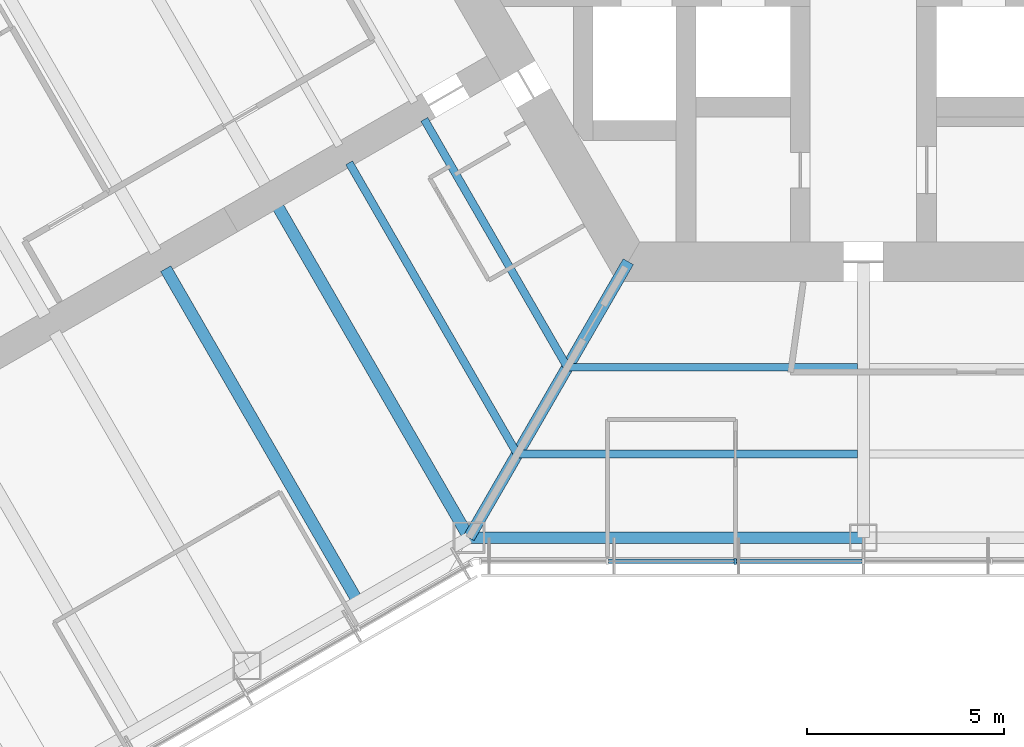
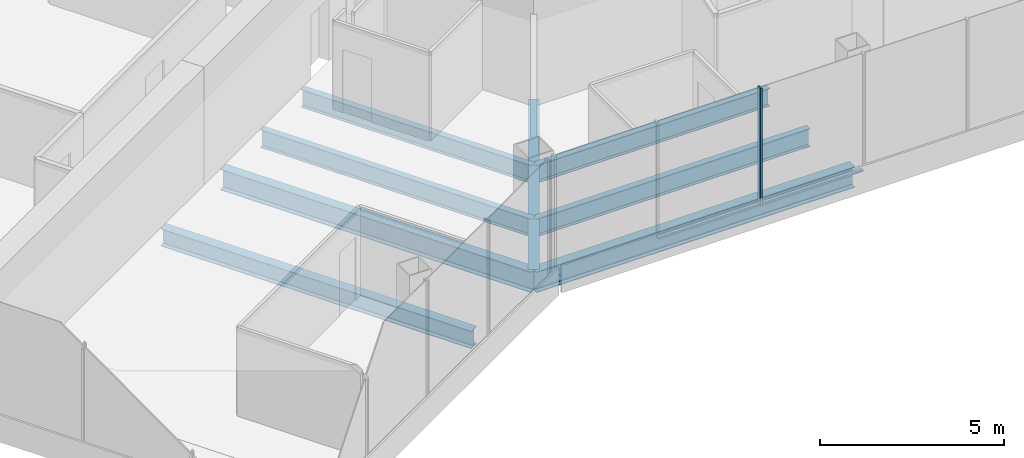
# One storey, part 3 of 18: 8 beams, 3 members, 1 element without a shape of its own.
"""IFC4 building model written with IfcOpenShell, lengths in metres."""

import ifcopenshell
import ifcopenshell.guid

model = None  # the IFC model being written
_history = None  # IfcOwnerHistory: only IFC2X3 demands one
_inside = {}  # id of a spatial element -> (the spatial element, [elements in it])
_under = {}  # id of a project, library or spatial element -> (it, [spatial elements below it])
_declared = {}  # id of a project -> (the project, [libraries it declares])
_typed = {}  # id of a type object -> (the type object, [elements of that type])
_made_of = {}  # id of a material, layer set ... -> (it, [elements and type objects made of it])


def new_model(schema):
    """Start an empty IFC model of exactly this schema.

    Asked for "IFC4X3", IfcOpenShell would pick the latest addendum, in which some entities
    have other attributes; the version numbers below select the first issue.
    IFC2X3 requires an IfcOwnerHistory on every rooted entity: one is made here for all.
    """
    global model, _history
    if schema == "IFC4X3":
        model = ifcopenshell.file(schema_version=(4, 3, 0, 0))
    else:
        model = ifcopenshell.file(schema=schema)
    _inside.clear()
    _under.clear()
    _declared.clear()
    _typed.clear()
    _made_of.clear()
    _history = None
    if model.schema == "IFC2X3":
        org = make("IfcOrganization", Name="unknown")
        user = make(
            "IfcPersonAndOrganization",
            ThePerson=make("IfcPerson", FamilyName="unknown"),
            TheOrganization=org,
        )
        app = make(
            "IfcApplication",
            ApplicationDeveloper=org,
            Version="unknown",
            ApplicationFullName="unknown",
            ApplicationIdentifier="unknown",
        )
        _history = make(
            "IfcOwnerHistory",
            OwningUser=user,
            OwningApplication=app,
            ChangeAction="ADDED",
            CreationDate=0,
        )
    return model


def make(cls, **values):
    """One entity of the class cls with the attributes given. An attribute that is None is left unset."""
    return model.create_entity(
        cls, **{name: value for name, value in values.items() if value is not None}
    )


def rooted(cls, **values):
    """An entity with a GlobalId (a new one), such as an element, a storey or a relation."""
    return make(cls, GlobalId=ifcopenshell.guid.new(), OwnerHistory=_history, **values)


def si_unit(unit_type, name, prefix=None):
    """IfcSIUnit, for example si_unit("LENGTHUNIT", "METRE", prefix="MILLI")."""
    return make("IfcSIUnit", UnitType=unit_type, Prefix=prefix, Name=name)


def assignment(units):
    """IfcUnitAssignment: the units of a project."""
    return None if units is None else make("IfcUnitAssignment", Units=units)


def point(xyz):
    """IfcCartesianPoint."""
    return None if xyz is None else make("IfcCartesianPoint", Coordinates=xyz)


def direction(xyz):
    """IfcDirection."""
    return None if xyz is None else make("IfcDirection", DirectionRatios=xyz)


def frame(location, z_axis=None, x_axis=None):
    """IfcAxis2Placement3D, a coordinate frame: its origin and axes. An axis left out is left unset."""
    return make(
        "IfcAxis2Placement3D",
        Location=point(location),
        Axis=direction(z_axis),
        RefDirection=direction(x_axis),
    )


def frame_2d(location, x_axis=None):
    """IfcAxis2Placement2D, a coordinate frame in the plane: its origin and x axis."""
    return make(
        "IfcAxis2Placement2D", Location=point(location), RefDirection=direction(x_axis)
    )


def origin():
    """The frame at (0, 0, 0) with its axes left unset."""
    return frame((0.0, 0.0, 0.0))


def origin_2d():
    """The frame at (0, 0) in the plane with its x axis left unset."""
    return frame_2d((0.0, 0.0))


def place(relative_to, where):
    """IfcLocalPlacement: puts the frame where relative to a parent placement (None: the world)."""
    return make(
        "IfcLocalPlacement", PlacementRelTo=relative_to, RelativePlacement=where
    )


def context(
    kind, dimensions, precision=None, world=None, true_north=None, identifier=None
):
    """IfcGeometricRepresentationContext, for example the 3D "Model" context."""
    return make(
        "IfcGeometricRepresentationContext",
        ContextIdentifier=identifier,
        ContextType=kind,
        CoordinateSpaceDimension=dimensions,
        Precision=precision,
        WorldCoordinateSystem=world,
        TrueNorth=true_north,
    )


def subcontext(parent, identifier, kind, view, scale=None):
    """IfcGeometricRepresentationSubContext, for example "Body" below "Model"."""
    return make(
        "IfcGeometricRepresentationSubContext",
        ContextIdentifier=identifier,
        ContextType=kind,
        ParentContext=parent,
        TargetScale=scale,
        TargetView=view,
    )


def project(units=None, contexts=None):
    """IfcProject with its units and contexts."""
    return rooted(
        "IfcProject",
        Name="project",
        RepresentationContexts=contexts,
        UnitsInContext=assignment(units),
    )


def spatial(cls, under=None, at=None, **own):
    """A site, building, storey or space (cls), placed at a placement, below another one or the project."""
    s = rooted(cls, ObjectPlacement=at, **own)
    if under is not None:
        _under.setdefault(under.id(), (under, []))[1].append(s)
    return s


def profile(cls, at=None, kind="AREA", **sizes):
    """A parametric profile (cls). Its sizes go by their IFC names, for example OverallWidth=200.0."""
    return make(cls, ProfileType=kind, Position=at, **sizes)


def rectangle(**sizes):
    """IfcRectangleProfileDef."""
    return profile("IfcRectangleProfileDef", **sizes)


def i_section(**sizes):
    """IfcIShapeProfileDef."""
    return profile("IfcIShapeProfileDef", **sizes)


def extrude(swept, where, along, depth):
    """IfcExtrudedAreaSolid: the profile swept, set in the frame where, extruded along a direction by depth."""
    return make(
        "IfcExtrudedAreaSolid",
        SweptArea=swept,
        Position=where,
        ExtrudedDirection=direction(along),
        Depth=depth,
    )


def shape(context_of_items, identifier, shape_type, items):
    """IfcShapeRepresentation: the items that make up one representation, for example the "Body"."""
    return make(
        "IfcShapeRepresentation",
        ContextOfItems=context_of_items,
        RepresentationIdentifier=identifier,
        RepresentationType=shape_type,
        Items=items,
    )


def material(Name=None, Category=None):
    """IfcMaterial."""
    return make("IfcMaterial", Name=Name, Category=Category)


def material_profile(
    of_material, cross_section, Name=None, Category=None, Priority=None
):
    """IfcMaterialProfile: a cross section and its material."""
    return make(
        "IfcMaterialProfile",
        Name=Name,
        Material=of_material,
        Profile=cross_section,
        Priority=Priority,
        Category=Category,
    )


def profile_set(profiles, Name=None, composite=None):
    """IfcMaterialProfileSet."""
    return make(
        "IfcMaterialProfileSet",
        Name=Name,
        MaterialProfiles=profiles,
        CompositeProfile=composite,
    )


def made_of(thing, what):
    """Note that an element or type object is made of a material, layer set ...; save() writes the relation."""
    if what is not None:
        _made_of.setdefault(what.id(), (what, []))[1].append(thing)
    return thing


def type_object(cls, material=None, **own):
    """A type object (cls), such as IfcWallType, which elements share."""
    return made_of(rooted(cls, **own), material)


def element(
    cls,
    number,
    at=None,
    inside=None,
    cuts=None,
    type_object=None,
    material=None,
    context=None,
    identifier="Body",
    shape_type=None,
    held_by="IfcProductDefinitionShape",
    body=None,
    shapes=None,
    **own,
):
    """One element of the class cls, such as IfcWall. Its Tag is "e" and its number.

    at: its placement. inside: the storey or other place that contains it. cuts: it is an
    opening in that element (IfcRelVoidsElement). A single representation is given by context,
    identifier, shape_type and body (its items); several are given by shapes. held_by: the class
    of the entity that holds the representations. save() writes the other relations.
    """
    e = rooted(cls, Tag="e%d" % number, ObjectPlacement=at, **own)
    if body is not None:
        shapes = [shape(context, identifier, shape_type, body)]
    if shapes is not None:
        e.Representation = make(held_by, Representations=shapes)
    if inside is not None:
        _inside.setdefault(inside.id(), (inside, []))[1].append(e)
    if cuts is not None:
        rooted(
            "IfcRelVoidsElement", RelatingBuildingElement=cuts, RelatedOpeningElement=e
        )
    if type_object is not None:
        _typed.setdefault(type_object.id(), (type_object, []))[1].append(e)
    return made_of(e, material)


def aggregate(whole, parts):
    """IfcRelAggregates: a whole, such as a stair, and the parts it consists of."""
    return rooted("IfcRelAggregates", RelatingObject=whole, RelatedObjects=parts)


def save(model, path):
    """Write the relations noted so far, then the file.

    IfcRelAggregates (storeys below a building ...), IfcRelContainedInSpatialStructure (elements
    in a storey), IfcRelDefinesByType, IfcRelAssociatesMaterial and IfcRelDeclares: one each for
    every whole, place, type object, material and project.
    """
    for whole, parts in _under.values():
        aggregate(whole, parts)
    for where, things in _inside.values():
        rooted(
            "IfcRelContainedInSpatialStructure",
            RelatedElements=things,
            RelatingStructure=where,
        )
    for kind, things in _typed.values():
        rooted("IfcRelDefinesByType", RelatedObjects=things, RelatingType=kind)
    for what, things in _made_of.values():
        rooted("IfcRelAssociatesMaterial", RelatedObjects=things, RelatingMaterial=what)
    for by, libraries in _declared.values():
        rooted("IfcRelDeclares", RelatingContext=by, RelatedDefinitions=libraries)
    model.write(path)


model = new_model("IFC4")

# Units and contexts
model_context = context("Model", 3, precision=1e-05, world=origin(), true_north=direction((0.0, 1.0)))
body_context = subcontext(model_context, "Body", "Model", "MODEL_VIEW")
ifc_project = project(units=[si_unit("LENGTHUNIT", "METRE"), si_unit("AREAUNIT", "SQUARE_METRE"), si_unit("VOLUMEUNIT", "CUBIC_METRE"), si_unit("PLANEANGLEUNIT", "RADIAN"), si_unit("MASSUNIT", "GRAM", prefix="KILO")], contexts=[model_context])

# Site, building, storey
site_placement = place(None, origin())
site = spatial("IfcSite", under=ifc_project, at=site_placement, CompositionType="ELEMENT")
building_placement = place(site_placement, origin())
building = spatial("IfcBuilding", under=site, at=building_placement, Name="Kasaneha Research Tower", CompositionType="ELEMENT")
storey_placement = place(building_placement, frame((0.0, 0.0, 137.0)))
storey = spatial("IfcBuildingStorey", under=building, at=storey_placement, Name="L34", CompositionType="ELEMENT", Elevation=137.0)

# Beams
ifc_material_1 = material(Name="Steel SN490B", Category="steel")
ifc_material_profile_1 = material_profile(ifc_material_1, i_section(OverallWidth=0.199951171875, OverallDepth=0.60009765625, WebThickness=0.010986328125, FlangeThickness=0.01708984375, FilletRadius=0.012939453125, at=origin_2d()), Name="H-600x200x11x17")
ifc_profile_set_1 = profile_set([ifc_material_profile_1], Name="Steel SN490B")
beam_type_1 = type_object("IfcBeamType", Name="B1-3 secondary beam H-600x200x11x17", PredefinedType="JOIST", material=ifc_profile_set_1)
beam_1_placement = place(storey_placement, frame((-7.505615234375, -13.0, -0.449951171875), z_axis=(-0.499993340521, 0.866029248602, 0.0), x_axis=(-0.866029248602, -0.499993340521, 0.0)))
element("IfcBeam", 1, at=beam_1_placement, inside=storey, type_object=beam_type_1, Name="Secondary beam RS210R1 L34", PredefinedType="JOIST", context=body_context, shape_type="SweptSolid", body=[
    extrude(i_section(OverallWidth=0.199951171875, OverallDepth=0.60009765625, WebThickness=0.010986328125, FlangeThickness=0.01708984375, FilletRadius=0.012939453125, at=origin_2d()), origin(), (0.0, 0.0, 1.0), 7.25537109375),
])
beam_2_placement = place(storey_placement, frame((-8.775634765625, -15.199951171875, -0.449951171875), z_axis=(-0.500004205306, 0.866022975836, 0.0), x_axis=(-0.866022975836, -0.500004205306, 0.0)))
element("IfcBeam", 2, at=beam_2_placement, inside=storey, type_object=beam_type_1, Name="Secondary beam RS210R2 L34", PredefinedType="JOIST", context=body_context, shape_type="SweptSolid", body=[
    extrude(i_section(OverallWidth=0.199951171875, OverallDepth=0.60009765625, WebThickness=0.010986328125, FlangeThickness=0.01708984375, FilletRadius=0.012939453125, at=origin_2d()), origin(), (0.0, 0.0, 1.0), 8.52587890625),
])
beam_3_placement = place(storey_placement, frame((-7.505615234375, -13.0, -0.449951171875), z_axis=(1.0, 0.0, 0.0), x_axis=(0.0, 1.0, 0.0)))
element("IfcBeam", 3, at=beam_3_placement, inside=storey, type_object=beam_type_1, Name="Secondary beam RS270L1 L34", PredefinedType="JOIST", context=body_context, shape_type="SweptSolid", body=[
    extrude(i_section(OverallWidth=0.199951171875, OverallDepth=0.60009765625, WebThickness=0.010986328125, FlangeThickness=0.01708984375, FilletRadius=0.012939453125, at=origin_2d()), origin(), (0.0, 0.0, 1.0), 7.355712890625),
])
beam_4_placement = place(storey_placement, frame((-8.775634765625, -15.199951171875, -0.449951171875), z_axis=(1.0, 0.0, 0.0), x_axis=(0.0, 1.0, 0.0)))
element("IfcBeam", 4, at=beam_4_placement, inside=storey, type_object=beam_type_1, Name="Secondary beam RS270L2 L34", PredefinedType="JOIST", context=body_context, shape_type="SweptSolid", body=[
    extrude(i_section(OverallWidth=0.199951171875, OverallDepth=0.60009765625, WebThickness=0.010986328125, FlangeThickness=0.01708984375, FilletRadius=0.012939453125, at=origin_2d()), origin(), (0.0, 0.0, 1.0), 8.625732421875),
])
ifc_material_2 = material(Name="Steel SN490B", Category="steel")
ifc_material_profile_2 = material_profile(ifc_material_2, i_section(OverallWidth=0.300048828125, OverallDepth=0.58203125, WebThickness=0.011962890625, FlangeThickness=0.01708984375, FilletRadius=0.012939453125, at=origin_2d()), Name="H-582x300x12x17")
ifc_profile_set_2 = profile_set([ifc_material_profile_2], Name="Steel SN490B")
beam_type_2 = type_object("IfcBeamType", Name="B2-3 secondary beam H-582x300x12x17", PredefinedType="JOIST", material=ifc_profile_set_2)
beam_5_placement = place(storey_placement, frame((-12.814697265625, -18.945556640625, -0.44091796875), z_axis=(-0.499995560238, 0.866027967067, 0.0), x_axis=(-0.866027967067, -0.499995560238, 0.0)))
element("IfcBeam", 5, at=beam_5_placement, inside=storey, type_object=beam_type_2, Name="Secondary beam WBBN1 L34", PredefinedType="JOIST", context=body_context, shape_type="SweptSolid", body=[
    extrude(i_section(OverallWidth=0.300048828125, OverallDepth=0.58203125, WebThickness=0.011962890625, FlangeThickness=0.01708984375, FilletRadius=0.012939453125, at=origin_2d()), origin(), (0.0, 0.0, 1.0), 9.75),
])

# Curtain wall, members
ifc_material_3 = material(Name="Glass and aluminium", Category="aluminium")
curtain_wall_type = type_object("IfcCurtainWallType", Name="Mid-rise office curtain wall", PredefinedType="USERDEFINED", material=ifc_material_3)
curtain_wall_placement = place(storey_placement, origin())
curtain_wall = element("IfcCurtainWall", 6, at=curtain_wall_placement, inside=storey, type_object=curtain_wall_type, Name="CW-O2 L34 run 01a", ObjectType="UNITISED CURTAIN WALL", PredefinedType="USERDEFINED")
ifc_material_4 = material(Name="Aluminium 6063-T6", Category="aluminium")
ifc_material_profile_3 = material_profile(ifc_material_4, rectangle(XDim=0.06005859375, YDim=0.14990234375, at=origin_2d()), Name="CW-O2 mullion 60x150")
ifc_profile_set_3 = profile_set([ifc_material_profile_3], Name="Aluminium 6063-T6")
member_type_1 = type_object("IfcMemberType", Name="CW-O2 mullion", PredefinedType="MULLION", material=ifc_profile_set_3)
member_1_placement = place(storey_placement, frame((-3.246337890625, -17.92041015625, 0.0), z_axis=(0.0, 0.0, 1.0), x_axis=(1.0, 0.0, 0.0)))
member_1 = element("IfcMember", 7, at=member_1_placement, type_object=member_type_1, Name="CW-O2 mullion 3", PredefinedType="MULLION", context=body_context, shape_type="SweptSolid", body=[
    extrude(rectangle(XDim=0.06005859375, YDim=0.14990234375, at=origin_2d()), origin(), (0.0, 0.0, 1.0), 3.89990234375),
])
ifc_material_5 = material(Name="Aluminium 6063-T6", Category="aluminium")
ifc_material_profile_4 = material_profile(ifc_material_5, rectangle(XDim=0.110107421875, YDim=0.06005859375, at=origin_2d()), Name="CW-O2 transom 110x60")
ifc_profile_set_4 = profile_set([ifc_material_profile_4], Name="Aluminium 6063-T6")
member_type_2 = type_object("IfcMemberType", Name="CW-O2 transom", PredefinedType="USERDEFINED", material=ifc_profile_set_4)
member_2_placement = place(storey_placement, frame((-6.462890625, -17.92041015625, 0.030029296875), z_axis=(1.0, 0.0, 0.0), x_axis=(0.0, 1.0, 0.0)))
member_2 = element("IfcMember", 8, at=member_2_placement, type_object=member_type_2, Name="CW-O2 transom 2", ObjectType="TRANSOM", PredefinedType="USERDEFINED", context=body_context, shape_type="SweptSolid", body=[
    extrude(rectangle(XDim=0.110107421875, YDim=0.06005859375, at=origin_2d()), origin(), (0.0, 0.0, 1.0), 3.1865234375),
])
member_3_placement = place(storey_placement, frame((-3.21630859375, -17.92041015625, 0.030029296875), z_axis=(1.0, 0.0, 0.0), x_axis=(0.0, 1.0, 0.0)))
member_3 = element("IfcMember", 9, at=member_3_placement, type_object=member_type_2, Name="CW-O2 transom 3", ObjectType="TRANSOM", PredefinedType="USERDEFINED", context=body_context, shape_type="SweptSolid", body=[
    extrude(rectangle(XDim=0.110107421875, YDim=0.06005859375, at=origin_2d()), origin(), (0.0, 0.0, 1.0), 3.186279296875),
])
aggregate(curtain_wall, [member_1, member_2, member_3])

# Beams
ifc_material_6 = material(Name="Steel SN490B", Category="steel")
ifc_material_profile_5 = material_profile(ifc_material_6, i_section(OverallWidth=0.300048828125, OverallDepth=0.699951171875, WebThickness=0.012939453125, FlangeThickness=0.02392578125, FilletRadius=0.01806640625, at=origin_2d()), Name="H-700x300x13x24")
ifc_profile_set_5 = profile_set([ifc_material_profile_5], Name="Steel SN490B")
beam_type_3 = type_object("IfcBeamType", Name="G1-3 radial girder H-700x300x13x24", PredefinedType="BEAM", material=ifc_profile_set_5)
beam_6_placement = place(storey_placement, frame((-5.961181640625, -10.324951171875, -0.5), z_axis=(-0.49999105496, -0.866030568144, 0.0), x_axis=(0.866030568144, -0.49999105496, 0.0)))
element("IfcBeam", 10, at=beam_6_placement, inside=storey, type_object=beam_type_3, Name="Radial girder RV240 L34", PredefinedType="BEAM", context=body_context, shape_type="SweptSolid", body=[
    extrude(i_section(OverallWidth=0.300048828125, OverallDepth=0.699951171875, WebThickness=0.012939453125, FlangeThickness=0.02392578125, FilletRadius=0.01806640625, at=origin_2d()), origin(), (0.0, 0.0, 1.0), 8.077880859375),
])
ifc_material_7 = material(Name="Steel SN490B", Category="steel")
ifc_material_profile_6 = material_profile(ifc_material_7, i_section(OverallWidth=0.300048828125, OverallDepth=0.69189453125, WebThickness=0.012939453125, FlangeThickness=0.02001953125, FilletRadius=0.01806640625, at=origin_2d()), Name="H-692x300x13x20")
ifc_profile_set_6 = profile_set([ifc_material_profile_6], Name="Steel SN490B")
beam_type_4 = type_object("IfcBeamType", Name="G3-3 plate edge girder H-692x300x13x20", PredefinedType="BEAM", material=ifc_profile_set_6)
beam_7_placement = place(storey_placement, frame((-10.0, -17.320556640625, -0.49609375), z_axis=(-0.499995560238, 0.866027967067, 0.0), x_axis=(-0.866027967067, -0.499995560238, 0.0)))
element("IfcBeam", 11, at=beam_7_placement, inside=storey, type_object=beam_type_4, Name="Plate edge girder PEBN L34", PredefinedType="BEAM", context=body_context, shape_type="SweptSolid", body=[
    extrude(i_section(OverallWidth=0.300048828125, OverallDepth=0.69189453125, WebThickness=0.012939453125, FlangeThickness=0.02001953125, FilletRadius=0.01806640625, at=origin_2d()), origin(), (0.0, 0.0, 1.0), 9.75),
])
ifc_material_8 = material(Name="Steel SN490B", Category="steel")
ifc_material_profile_7 = material_profile(ifc_material_8, i_section(OverallWidth=0.300048828125, OverallDepth=0.69189453125, WebThickness=0.012939453125, FlangeThickness=0.02001953125, FilletRadius=0.01806640625, at=origin_2d()), Name="H-692x300x13x20")
ifc_profile_set_7 = profile_set([ifc_material_profile_7], Name="Steel SN490B")
beam_type_5 = type_object("IfcBeamType", Name="SB1-3 spandrel beam H-692x300x13x20", PredefinedType="SPANDREL", material=ifc_profile_set_7)
beam_8_placement = place(storey_placement, frame((-10.0, -17.320556640625, -0.49609375), z_axis=(1.0, 0.0, 0.0), x_axis=(0.0, 1.0, 0.0)))
element("IfcBeam", 12, at=beam_8_placement, inside=storey, type_object=beam_type_5, Name="Spandrel beam SR270L L34", PredefinedType="SPANDREL", context=body_context, shape_type="SweptSolid", body=[
    extrude(i_section(OverallWidth=0.300048828125, OverallDepth=0.69189453125, WebThickness=0.012939453125, FlangeThickness=0.02001953125, FilletRadius=0.01806640625, at=origin_2d()), origin(), (0.0, 0.0, 1.0), 10.0),
])

save(model, "model.ifc")
